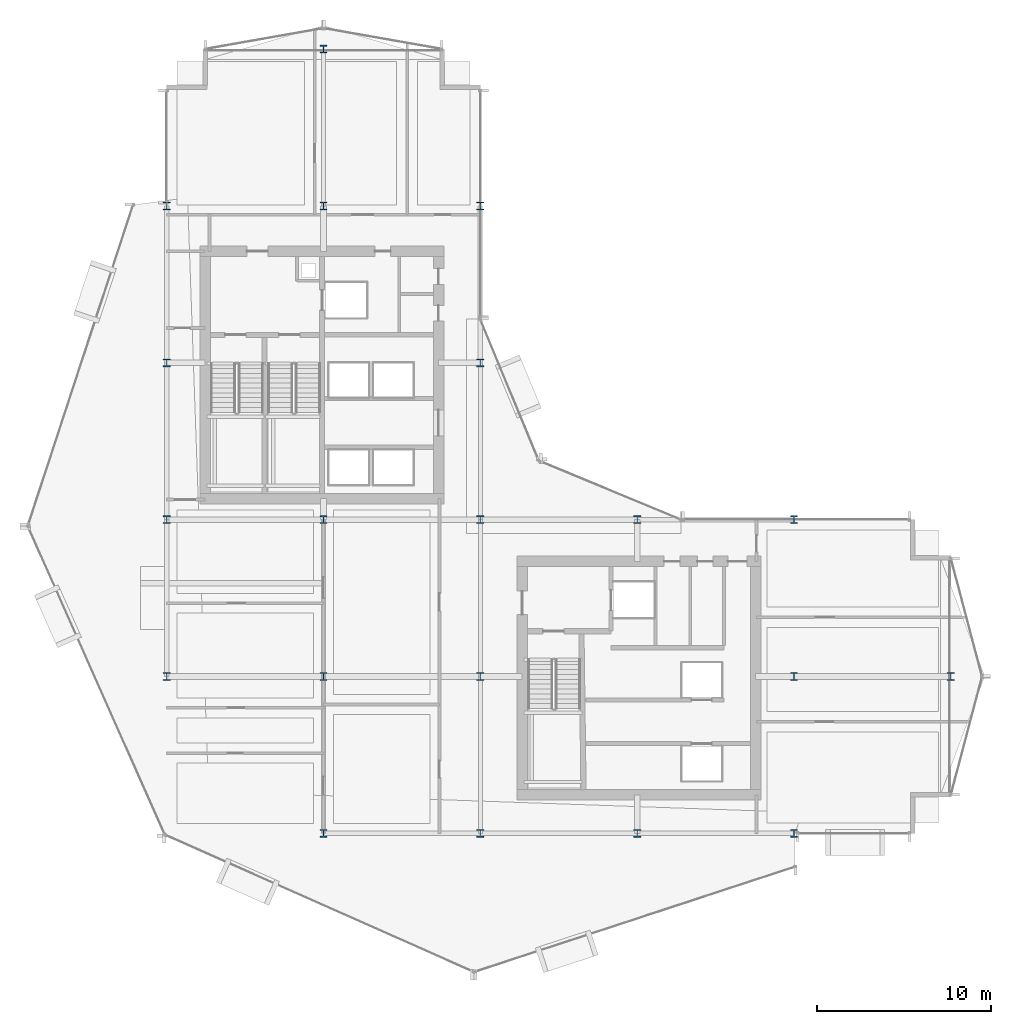
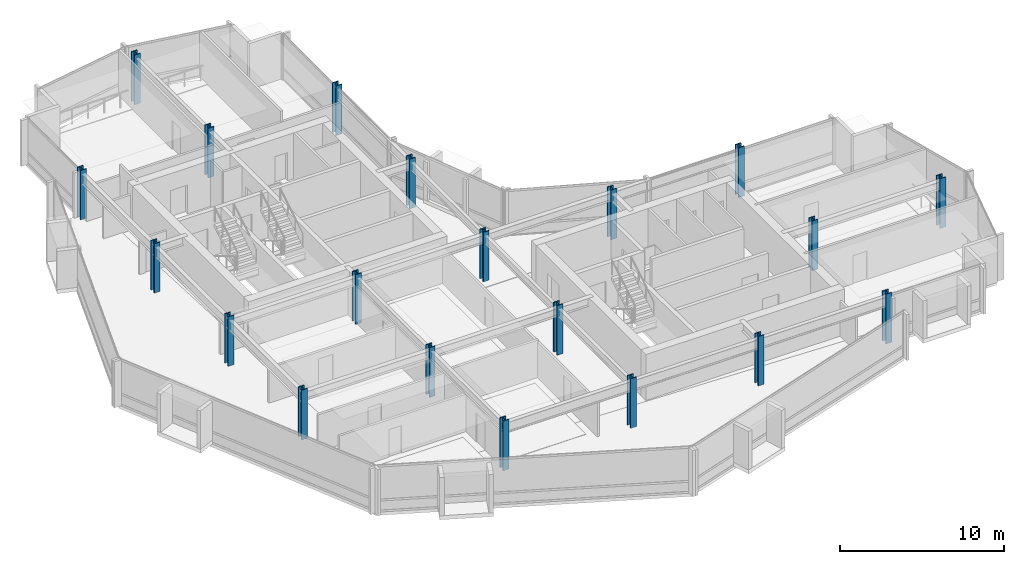
# One storey, part 1 of 28: 20 columns.
"""IFC4 building model written with IfcOpenShell, lengths in metres."""

from ifc_helpers import new_model, si_unit, direction, frame, origin, origin_2d, place, context, subcontext, project, spatial, i_section, extrude, material, material_profile, profile_set, type_object, element, save


model = new_model("IFC4")

# Units and contexts
model_context = context("Model", 3, precision=1e-05, world=origin(), true_north=direction((0.0, 1.0)))
body_context = subcontext(model_context, "Body", "Model", "MODEL_VIEW")
ifc_project = project(units=[si_unit("LENGTHUNIT", "METRE"), si_unit("AREAUNIT", "SQUARE_METRE"), si_unit("VOLUMEUNIT", "CUBIC_METRE"), si_unit("PLANEANGLEUNIT", "RADIAN"), si_unit("MASSUNIT", "GRAM", prefix="KILO")], contexts=[model_context])

# Site, building, storey
site_placement = place(None, origin())
site = spatial("IfcSite", under=ifc_project, at=site_placement, CompositionType="ELEMENT")
building_placement = place(site_placement, origin())
building = spatial("IfcBuilding", under=site, at=building_placement, Name="Solvaryn Broadcast Tower", CompositionType="ELEMENT")
storey_placement = place(building_placement, frame((0.0, 0.0, 110.0)))
storey = spatial("IfcBuildingStorey", under=building, at=storey_placement, Name="L26", CompositionType="ELEMENT", Elevation=110.0)

# Columns
ifc_material_1 = material(Name="Steel ASTM A913 Grade 65", Category="steel")
ifc_material_profile_1 = material_profile(ifc_material_1, i_section(OverallWidth=0.41796875, OverallDepth=0.455078125, WebThickness=0.0419921875, FlangeThickness=0.067626953125, FilletRadius=0.014892578125, at=origin_2d()))
ifc_profile_set_1 = profile_set([ifc_material_profile_1], Name="Steel ASTM A913 Grade 65")
column_type_1 = type_object("IfcColumnType", Name="COL-C05E-W14X370", PredefinedType="COLUMN", material=ifc_profile_set_1)
for number, where, z_axis, x_axis, name in (
    (1, (9.0, 18.0, 0.0), (0.0, 0.0, 1.0), (1.0, 0.0, 0.0), "L26 Column (9.0, 18.0)"),
    (2, (9.0, 27.0, 0.0), (0.0, 0.0, 1.0), (1.0, 0.0, 0.0), "L26 Column (9.0, 27.0)"),
    (3, (9.0, 36.0, 0.0), (0.0, 0.0, 1.0), (1.0, 0.0, 0.0), "L26 Column (9.0, 36.0)"),
    (4, (9.0, 45.0, 0.0), (0.0, 0.0, 1.0), (1.0, 0.0, 0.0), "L26 Column (9.0, 45.0)"),
    (5, (18.0, 9.0, 0.0), (0.0, 0.0, 1.0), (1.0, 0.0, 0.0), "L26 Column (18.0, 9.0)"),
    (6, (18.0, 54.0, 0.0), (0.0, 0.0, 1.0), (1.0, 0.0, 0.0), "L26 Column (18.0, 54.0)"),
    (7, (27.0, 9.0, 0.0), (0.0, 0.0, 1.0), (1.0, 0.0, 0.0), "L26 Column (27.0, 9.0)"),
    (8, (27.0, 36.0, 0.0), (0.0, 0.0, 1.0), (1.0, 0.0, 0.0), "L26 Column (27.0, 36.0)"),
    (9, (27.0, 45.0, 0.0), (0.0, 0.0, 1.0), (1.0, 0.0, 0.0), "L26 Column (27.0, 45.0)"),
    (10, (36.0, 9.0, 0.0), (0.0, 0.0, 1.0), (1.0, 0.0, 0.0), "L26 Column (36.0, 9.0)"),
    (11, (36.0, 27.0, 0.0), (0.0, 0.0, 1.0), (1.0, 0.0, 0.0), "L26 Column (36.0, 27.0)"),
    (12, (45.0, 9.0, 0.0), (0.0, 0.0, 1.0), (1.0, 0.0, 0.0), "L26 Column (45.0, 9.0)"),
    (13, (45.0, 27.0, 0.0), (0.0, 0.0, 1.0), (1.0, 0.0, 0.0), "L26 Column (45.0, 27.0)"),
    (14, (54.0, 18.0, 0.0), (0.0, 0.0, 1.0), (1.0, 0.0, 0.0), "L26 Column (54.0, 18.0)"),
):
    element("IfcColumn", number, at=place(storey_placement, frame(where, z_axis=z_axis, x_axis=x_axis)), inside=storey, type_object=column_type_1, Name=name, PredefinedType="COLUMN", context=body_context, shape_type="SweptSolid", body=[
        extrude(i_section(OverallWidth=0.41796875, OverallDepth=0.455078125, WebThickness=0.0419921875, FlangeThickness=0.067626953125, FilletRadius=0.014892578125, at=origin_2d()), origin(), (0.0, 0.0, 1.0), 3.699951171875),
    ])
ifc_material_2 = material(Name="Steel ASTM A913 Grade 65", Category="steel")
ifc_material_profile_2 = material_profile(ifc_material_2, i_section(OverallWidth=0.41796875, OverallDepth=0.455078125, WebThickness=0.0419921875, FlangeThickness=0.067626953125, FilletRadius=0.014892578125, at=origin_2d()))
ifc_profile_set_2 = profile_set([ifc_material_profile_2], Name="Steel ASTM A913 Grade 65")
column_type_2 = type_object("IfcColumnType", Name="COL-C05I-W14X370", PredefinedType="COLUMN", material=ifc_profile_set_2)
for number, where, z_axis, x_axis, name in (
    (15, (18.0, 18.0, 0.0), (0.0, 0.0, 1.0), (1.0, 0.0, 0.0), "L26 Column (18.0, 18.0)"),
    (16, (18.0, 27.0, 0.0), (0.0, 0.0, 1.0), (1.0, 0.0, 0.0), "L26 Column (18.0, 27.0)"),
    (17, (18.0, 45.0, 0.0), (0.0, 0.0, 1.0), (1.0, 0.0, 0.0), "L26 Column (18.0, 45.0)"),
    (18, (27.0, 18.0, 0.0), (0.0, 0.0, 1.0), (1.0, 0.0, 0.0), "L26 Column (27.0, 18.0)"),
    (19, (27.0, 27.0, 0.0), (0.0, 0.0, 1.0), (1.0, 0.0, 0.0), "L26 Column (27.0, 27.0)"),
    (20, (45.0, 18.0, 0.0), (0.0, 0.0, 1.0), (1.0, 0.0, 0.0), "L26 Column (45.0, 18.0)"),
):
    element("IfcColumn", number, at=place(storey_placement, frame(where, z_axis=z_axis, x_axis=x_axis)), inside=storey, type_object=column_type_2, Name=name, PredefinedType="COLUMN", context=body_context, shape_type="SweptSolid", body=[
        extrude(i_section(OverallWidth=0.41796875, OverallDepth=0.455078125, WebThickness=0.0419921875, FlangeThickness=0.067626953125, FilletRadius=0.014892578125, at=origin_2d()), origin(), (0.0, 0.0, 1.0), 3.699951171875),
    ])

save(model, "model.ifc")
